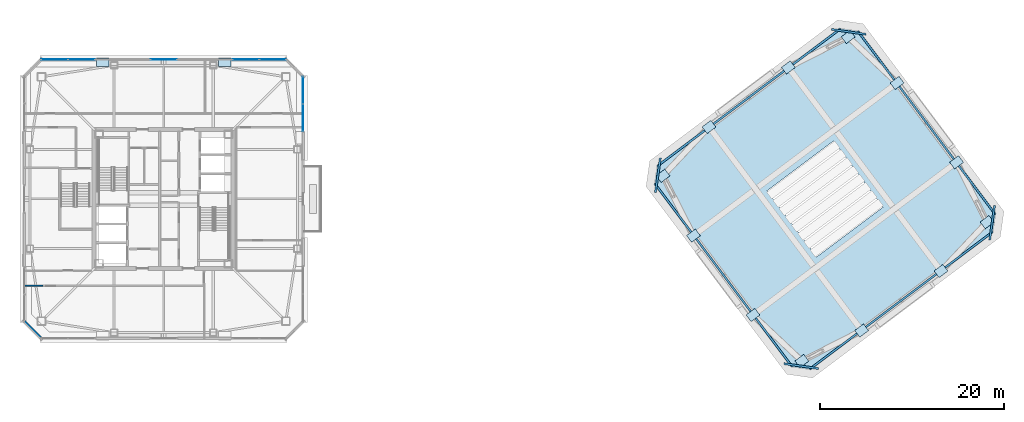
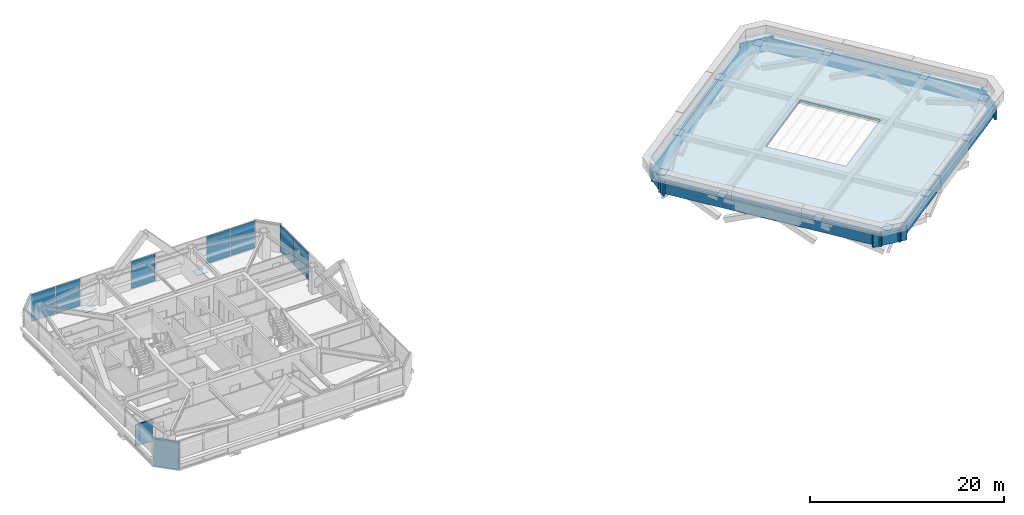
# One storey, part 18 of 24: 29 plates, 2 walls, 1 slab, 4 elements without a shape of their own.
"""IFC4 building model written with IfcOpenShell, lengths in metres."""

from ifc_helpers import new_model, si_unit, direction, frame, frame_2d, origin, origin_2d, place, context, subcontext, project, spatial, polyline, rectangle, outline, extrude, material, layer, layer_set, type_object, element, aggregate, save


model = new_model("IFC4")

# Units and contexts
model_context = context("Model", 3, precision=1e-05, world=origin(), true_north=direction((0.0, 1.0)))
body_context = subcontext(model_context, "Body", "Model", "MODEL_VIEW")
ifc_project = project(units=[si_unit("LENGTHUNIT", "METRE"), si_unit("AREAUNIT", "SQUARE_METRE"), si_unit("VOLUMEUNIT", "CUBIC_METRE"), si_unit("PLANEANGLEUNIT", "RADIAN"), si_unit("MASSUNIT", "GRAM", prefix="KILO")], contexts=[model_context])

# Site, building, storey
site_placement = place(None, origin())
site = spatial("IfcSite", under=ifc_project, at=site_placement, CompositionType="ELEMENT")
building_placement = place(site_placement, origin())
building = spatial("IfcBuilding", under=site, at=building_placement, Name="Tashvorn Skyway Center", CompositionType="ELEMENT")
storey_placement = place(building_placement, frame((0.0, 0.0, 270.5)))
storey = spatial("IfcBuildingStorey", under=building, at=storey_placement, Name="L73", CompositionType="ELEMENT", Elevation=270.5)

# Curtain wall, plates
ifc_material_1 = material(Name="Thermally broken bronze-anodized aluminium 6063-T6", Category="aluminium")
curtain_wall_type = type_object("IfcCurtainWallType", Name="CW-CW-Z5", PredefinedType="NOTDEFINED", material=ifc_material_1)
curtain_wall_1_placement = place(storey_placement, origin())
curtain_wall_1 = element("IfcCurtainWall", 1, at=curtain_wall_1_placement, inside=storey, type_object=curtain_wall_type, Name="Tower 1 L73 North Unitised Curtain Wall Glazing Group 1", PredefinedType="NOTDEFINED")
ifc_material_2 = material(Name="Low-E solar-control double insulating safety glass", Category="glass")
ifc_layer_1 = layer(ifc_material_2, 0.031982421875)
ifc_layer_set_1 = layer_set([ifc_layer_1], Name="Low-E solar-control double insulating safety glass")
plate_type_1 = type_object("IfcPlateType", Name="CWP-CW-Z5", PredefinedType="CURTAIN_PANEL", material=ifc_layer_set_1)
plate_1_placement = place(storey_placement, frame((30.124267578125, 47.179931640625, 0.06982421875), z_axis=(0.0, 0.0, 1.0), x_axis=(1.0, 0.0, 0.0)))
plate_1 = element("IfcPlate", 2, at=plate_1_placement, type_object=plate_type_1, Name="CW-Z5 panel 1.1", PredefinedType="CURTAIN_PANEL", context=body_context, shape_type="SweptSolid", body=[
    extrude(rectangle(XDim=2.868408203125, YDim=0.031982421875, at=origin_2d()), origin(), (0.0, 0.0, 1.0), 3.409912109375),
])
plate_2_placement = place(storey_placement, frame((33.0625, 47.179931640625, 0.06982421875), z_axis=(0.0, 0.0, 1.0), x_axis=(1.0, 0.0, 0.0)))
plate_2 = element("IfcPlate", 3, at=plate_2_placement, type_object=plate_type_1, Name="CW-Z5 panel 2.1", PredefinedType="CURTAIN_PANEL", context=body_context, shape_type="SweptSolid", body=[
    extrude(rectangle(XDim=2.868408203125, YDim=0.031982421875, at=origin_2d()), origin(), (0.0, 0.0, 1.0), 3.409912109375),
])
aggregate(curtain_wall_1, [plate_1, plate_2])

# Curtain wall, plate
curtain_wall_2_placement = place(storey_placement, origin())
curtain_wall_2 = element("IfcCurtainWall", 4, at=curtain_wall_2_placement, inside=storey, type_object=curtain_wall_type, Name="Tower 1 L73 North Unitised Curtain Wall Glazing Group 2", PredefinedType="NOTDEFINED")
plate_3_placement = place(storey_placement, frame((42.0, 47.179931640625, 0.06982421875), z_axis=(0.0, 0.0, 1.0), x_axis=(1.0, 0.0, 0.0)))
plate_3 = element("IfcPlate", 5, at=plate_3_placement, type_object=plate_type_1, Name="CW-Z5 panel 1.1", PredefinedType="CURTAIN_PANEL", context=body_context, shape_type="SweptSolid", body=[
    extrude(rectangle(XDim=2.83349609375, YDim=0.031982421875, at=origin_2d()), origin(), (0.0, 0.0, 1.0), 3.409912109375),
])
aggregate(curtain_wall_2, [plate_3])

# Curtain wall, plates
curtain_wall_3_placement = place(storey_placement, origin())
curtain_wall_3 = element("IfcCurtainWall", 6, at=curtain_wall_3_placement, inside=storey, type_object=curtain_wall_type, Name="Tower 1 L73 North Unitised Curtain Wall Glazing Group 3", PredefinedType="NOTDEFINED")
plate_4_placement = place(storey_placement, frame((50.9375, 47.179931640625, 0.06982421875), z_axis=(0.0, 0.0, 1.0), x_axis=(1.0, 0.0, 0.0)))
plate_4 = element("IfcPlate", 7, at=plate_4_placement, type_object=plate_type_1, Name="CW-Z5 panel 1.1", PredefinedType="CURTAIN_PANEL", context=body_context, shape_type="SweptSolid", body=[
    extrude(rectangle(XDim=2.868408203125, YDim=0.031982421875, at=origin_2d()), origin(), (0.0, 0.0, 1.0), 3.409912109375),
])
plate_5_placement = place(storey_placement, frame((53.875732421875, 47.179931640625, 0.06982421875), z_axis=(0.0, 0.0, 1.0), x_axis=(1.0, 0.0, 0.0)))
plate_5 = element("IfcPlate", 8, at=plate_5_placement, type_object=plate_type_1, Name="CW-Z5 panel 2.1", PredefinedType="CURTAIN_PANEL", context=body_context, shape_type="SweptSolid", body=[
    extrude(rectangle(XDim=2.868408203125, YDim=0.031982421875, at=origin_2d()), origin(), (0.0, 0.0, 1.0), 3.409912109375),
])
aggregate(curtain_wall_3, [plate_4, plate_5])

curtain_wall_4_placement = place(storey_placement, origin())
curtain_wall_4 = element("IfcCurtainWall", 9, at=curtain_wall_4_placement, inside=storey, type_object=curtain_wall_type, Name="Tower 1 L73 East Curtain Wall L Glazing Group 1", PredefinedType="NOTDEFINED")
plate_6_placement = place(storey_placement, frame((57.179931640625, 43.8408203125, 0.06982421875), z_axis=(0.0, 0.0, 1.0), x_axis=(0.0, -1.0, 0.0)))
plate_6 = element("IfcPlate", 10, at=plate_6_placement, type_object=plate_type_1, Name="CW-Z5 panel 1.1", PredefinedType="CURTAIN_PANEL", context=body_context, shape_type="SweptSolid", body=[
    extrude(rectangle(XDim=2.938232421875, YDim=0.031982421875, at=origin_2d()), origin(), (0.0, 0.0, 1.0), 3.409912109375),
])
plate_7_placement = place(storey_placement, frame((57.179931640625, 40.83251953125, 0.06982421875), z_axis=(0.0, 0.0, 1.0), x_axis=(0.0, -1.0, 0.0)))
plate_7 = element("IfcPlate", 11, at=plate_7_placement, type_object=plate_type_1, Name="CW-Z5 panel 2.1", PredefinedType="CURTAIN_PANEL", context=body_context, shape_type="SweptSolid", body=[
    extrude(rectangle(XDim=2.938232421875, YDim=0.031982421875, at=origin_2d()), origin(), (0.0, 0.0, 1.0), 3.409912109375),
])
aggregate(curtain_wall_4, [plate_6, plate_7])

# Plates
ifc_material_3 = material(Name="Steel ASTM A572 Grade 50", Category="steel")
ifc_layer_2 = layer(ifc_material_3, 0.034912109375)
ifc_layer_set_2 = layer_set([ifc_layer_2], Name="Steel ASTM A572 Grade 50")
plate_type_2 = type_object("IfcPlateType", Name="PLT-CAP-35", PredefinedType="USERDEFINED", material=ifc_layer_set_2)
for number, where, z_axis, x_axis, name in (
    (12, (111.47998046875, 14.360107421875, 2.84765625), (0.0, 0.0, 1.0), (0.799999996291, 0.600000004945, 0.0), "CROWN FRAME Tower 2 Column Cap Plate MC-SW"),
    (13, (131.639892578125, 29.47998046875, 2.84765625), (0.0, 0.0, 1.0), (0.799999996291, 0.600000004945, 0.0), "CROWN FRAME Tower 2 Column Cap Plate MC-SE"),
    (14, (116.52001953125, 49.639892578125, 2.84765625), (0.0, 0.0, 1.0), (0.799999996291, 0.600000004945, 0.0), "CROWN FRAME Tower 2 Column Cap Plate MC-NE"),
    (15, (96.360107421875, 34.52001953125, 2.84765625), (0.0, 0.0, 1.0), (0.799999996291, 0.600000004945, 0.0), "CROWN FRAME Tower 2 Column Cap Plate MC-NW"),
    (16, (117.989990234375, 17.679931640625, 2.84765625), (0.0, 0.0, 1.0), (0.799999996291, 0.600000004945, 0.0), "CROWN FRAME Tower 2 Column Cap Plate FC-S1"),
    (17, (126.6298828125, 24.159912109375, 2.84765625), (0.0, 0.0, 1.0), (0.799999996291, 0.600000004945, 0.0), "CROWN FRAME Tower 2 Column Cap Plate FC-S2"),
    (18, (128.320068359375, 35.989990234375, 2.84765625), (0.0, 0.0, 1.0), (0.799999996291, 0.600000004945, 0.0), "CROWN FRAME Tower 2 Column Cap Plate FC-E1"),
    (19, (121.840087890625, 44.6298828125, 2.84765625), (0.0, 0.0, 1.0), (0.799999996291, 0.600000004945, 0.0), "CROWN FRAME Tower 2 Column Cap Plate FC-E2"),
    (20, (110.010009765625, 46.320068359375, 2.84765625), (0.0, 0.0, 1.0), (0.799999996291, 0.600000004945, 0.0), "CROWN FRAME Tower 2 Column Cap Plate FC-N1"),
    (21, (101.3701171875, 39.840087890625, 2.84765625), (0.0, 0.0, 1.0), (0.799999996291, 0.600000004945, 0.0), "CROWN FRAME Tower 2 Column Cap Plate FC-N2"),
    (22, (99.679931640625, 28.010009765625, 2.84765625), (0.0, 0.0, 1.0), (0.799999996291, 0.600000004945, 0.0), "CROWN FRAME Tower 2 Column Cap Plate FC-W1"),
    (23, (106.159912109375, 19.3701171875, 2.84765625), (0.0, 0.0, 1.0), (0.799999996291, 0.600000004945, 0.0), "CROWN FRAME Tower 2 Column Cap Plate FC-W2"),
):
    element("IfcPlate", number, at=place(storey_placement, frame(where, z_axis=z_axis, x_axis=x_axis)), inside=storey, type_object=plate_type_2, Name=name, ObjectType="END PLATE", PredefinedType="USERDEFINED", context=body_context, shape_type="SweptSolid", body=[
        extrude(rectangle(XDim=1.199951171875, YDim=0.919921875, at=origin_2d()), origin(), (0.0, 0.0, 1.0), 0.034912109375),
    ])
ifc_material_4 = material(Name="Perforated ceramic-coated bronze aluminium solar screen", Category="aluminium")
ifc_layer_3 = layer(ifc_material_4, 0.219970703125)
ifc_layer_set_3 = layer_set([ifc_layer_3], Name="Perforated ceramic-coated bronze aluminium solar screen")
plate_type_3 = type_object("IfcPlateType", Name="PLT-CROWN-SCREEN", PredefinedType="USERDEFINED", material=ifc_layer_set_3)
for number, where, z_axis, x_axis, name in (
    (24, (122.2919921875, 20.944091796875, 1.205078125), (0.0, 0.0, 1.0), (0.799999996291, 0.600000004945, 0.0), "CROWN Perforated Ceramic-Metal Solar Screen Panel T2 S-6"),
    (25, (125.055908203125, 40.2919921875, 1.205078125), (0.0, 0.0, 1.0), (-0.600000004945, 0.799999996291, 0.0), "CROWN Perforated Ceramic-Metal Solar Screen Panel T2 E-6"),
    (26, (105.7080078125, 43.055908203125, 1.205078125), (0.0, 0.0, 1.0), (-0.799999996291, -0.600000004945, 0.0), "CROWN Perforated Ceramic-Metal Solar Screen Panel T2 N-6"),
    (27, (102.944091796875, 23.7080078125, 1.205078125), (0.0, 0.0, 1.0), (0.600000004945, -0.799999996291, 0.0), "CROWN Perforated Ceramic-Metal Solar Screen Panel T2 W-6"),
):
    element("IfcPlate", number, at=place(storey_placement, frame(where, z_axis=z_axis, x_axis=x_axis)), inside=storey, type_object=plate_type_3, Name=name, ObjectType="SOLAR SCREEN", PredefinedType="USERDEFINED", context=body_context, shape_type="SweptSolid", body=[
        extrude(rectangle(XDim=24.89990234375, YDim=0.219970703125, at=origin_2d()), origin(), (0.0, 0.0, 1.0), 1.705078125),
    ])
for number, where, z_axis, x_axis, name in (
    (28, (111.40087890625, 13.806884765625, 1.205078125), (0.0, 0.0, 1.0), (-0.989949494535, 0.141421350118, 0.0), "CROWN Perforated Ceramic-Metal Solar Screen Chamfer Panel T2 SW-6"),
    (29, (132.193115234375, 29.40087890625, 1.205078125), (0.0, 0.0, 1.0), (0.141421350118, 0.989949494535, 0.0), "CROWN Perforated Ceramic-Metal Solar Screen Chamfer Panel T2 SE-6"),
    (30, (116.59912109375, 50.193115234375, 1.205078125), (0.0, 0.0, 1.0), (0.989949494535, -0.141421350118, 0.0), "CROWN Perforated Ceramic-Metal Solar Screen Chamfer Panel T2 NE-6"),
    (31, (95.806884765625, 34.59912109375, 1.205078125), (0.0, 0.0, 1.0), (-0.141421350118, -0.989949494535, 0.0), "CROWN Perforated Ceramic-Metal Solar Screen Chamfer Panel T2 NW-6"),
):
    element("IfcPlate", number, at=place(storey_placement, frame(where, z_axis=z_axis, x_axis=x_axis)), inside=storey, type_object=plate_type_3, Name=name, ObjectType="SOLAR SCREEN", PredefinedType="USERDEFINED", context=body_context, shape_type="SweptSolid", body=[
        extrude(rectangle(XDim=3.795654296875, YDim=0.219970703125, at=origin_2d()), origin(), (0.0, 0.0, 1.0), 1.705078125),
    ])
ifc_layer_4 = layer(ifc_material_3, 0.044921875)
ifc_layer_set_4 = layer_set([ifc_layer_4], Name="Steel ASTM A572 Grade 50")
plate_type_4 = type_object("IfcPlateType", Name="PLT-GUSSET-45", PredefinedType="USERDEFINED", material=ifc_layer_set_4)
for number, where, z_axis, x_axis, name in (
    (32, (48.64990234375, 46.8798828125, -0.472412109375), (0.0, 0.0, 1.0), (-1.0, 0.0, 0.0), "Tower 1 Zone 7 N Mid-Chevron Node Gusset L"),
    (33, (35.35009765625, 46.8798828125, -0.472412109375), (0.0, 0.0, 1.0), (-1.0, 0.0, 0.0), "Tower 1 Zone 7 N Mid-Chevron Node Gusset R"),
):
    element("IfcPlate", number, at=place(storey_placement, frame(where, z_axis=z_axis, x_axis=x_axis)), inside=storey, type_object=plate_type_4, Name=name, ObjectType="GUSSET PLATE", PredefinedType="USERDEFINED", context=body_context, shape_type="SweptSolid", body=[
        extrude(rectangle(XDim=1.35009765625, YDim=0.949951171875, at=origin_2d()), origin(), (0.0, 0.0, 1.0), 0.044921875),
    ])

# Slab
ifc_material_5 = material(Name="Concrete C40/50", Category="concrete")
ifc_layer_5 = layer(ifc_material_5, 0.25)
ifc_layer_set_5 = layer_set([ifc_layer_5], Name="Concrete C40/50")
slab_type = type_object("IfcSlabType", Name="SLAB-ROOF-250", PredefinedType="ROOF", material=ifc_layer_set_5)
slab_placement = place(storey_placement, frame((0.0, 0.0, 2.85009765625)))
element("IfcSlab", 34, at=slab_placement, inside=storey, type_object=slab_type, Name="CROWN FRAME Tower 2 Top Cap Diaphragm Deck", PredefinedType="ROOF", context=body_context, shape_type="SweptSolid", body=[
    extrude(outline(polyline([(112.7041015625, 12.927978515625), (132.672119140625, 27.904052734375), (133.072021484375, 30.7041015625), (118.095947265625, 50.672119140625), (115.2958984375, 51.072021484375), (95.327880859375, 36.095947265625), (94.927978515625, 33.2958984375), (109.904052734375, 13.327880859375), (112.7041015625, 12.927978515625)]), holes=[polyline([(113.10009765625, 25.699951171875), (120.300048828125, 31.10009765625), (114.89990234375, 38.300048828125), (107.699951171875, 32.89990234375), (113.10009765625, 25.699951171875)])]), origin(), (0.0, 0.0, 1.0), 0.25),
])

# Walls
ifc_material_6 = material(Name="Precast concrete C40/50", Category="concrete")
ifc_layer_6 = layer(ifc_material_6, 0.280029296875)
ifc_layer_set_6 = layer_set([ifc_layer_6], Name="Precast concrete C40/50")
wall_type_1 = type_object("IfcWallType", Name="WALL-EXT-280", PredefinedType="SOLIDWALL", material=ifc_layer_set_6)
wall_1_placement = place(storey_placement, frame((28.699951171875, 16.800048828125, 0.0), z_axis=(0.0, 0.0, 1.0), x_axis=(-0.707106781187, 0.707106781187, 0.0)))
element("IfcWall", 35, at=wall_1_placement, inside=storey, type_object=wall_type_1, Name="Tower 1 L73 SW Precast Chamfer Wall", PredefinedType="SOLIDWALL", context=body_context, shape_type="SweptSolid", body=[
    extrude(rectangle(XDim=2.686767578125, YDim=0.280029296875, at=frame_2d((1.34326171875, 0.0))), origin(), (0.0, 0.0, 1.0), 3.3701171875),
])
ifc_material_7 = material(Name="Gypsum board on cold-formed steel stud framing", Category="steel")
ifc_layer_7 = layer(ifc_material_7, 0.135009765625)
ifc_layer_set_7 = layer_set([ifc_layer_7], Name="Gypsum board on cold-formed steel stud framing")
wall_type_2 = type_object("IfcWallType", Name="WALL-PART-135", PredefinedType="PARTITIONING", material=ifc_layer_set_7)
wall_2_placement = place(storey_placement, frame((26.820068359375, 22.550048828125, 0.0), z_axis=(0.0, 0.0, 1.0), x_axis=(1.0, 0.0, 0.0)))
element("IfcWall", 36, at=wall_2_placement, inside=storey, type_object=wall_type_2, Name="Tower 1 L73 South-West Suite North Wall", PredefinedType="PARTITIONING", context=body_context, shape_type="SweptSolid", body=[
    extrude(rectangle(XDim=2.030029296875, YDim=0.135009765625, at=frame_2d((1.01513671875, 0.0))), origin(), (0.0, 0.0, 1.0), 2.722900390625),
])

save(model, "model.ifc")
